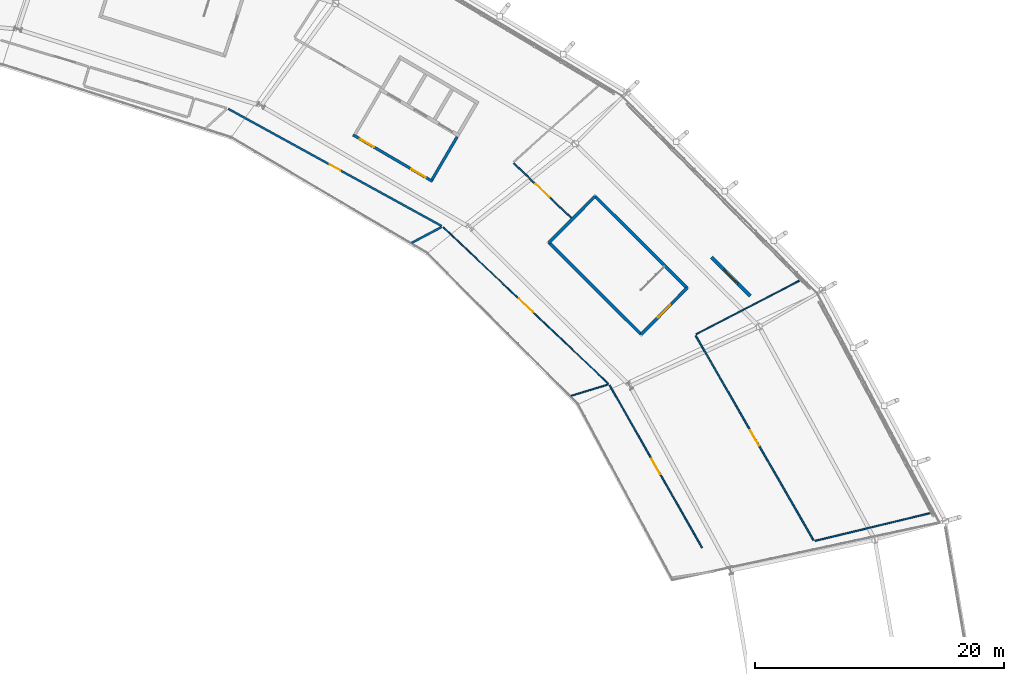
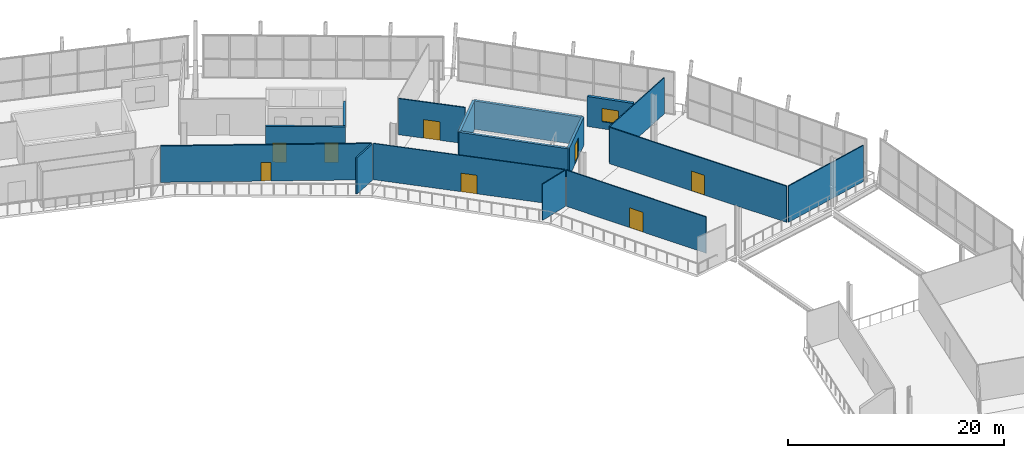
# One storey, part 89 of 99: 16 walls, 8 doors, 1 window, 9 openings.
"""IFC4 building model written with IfcOpenShell, lengths in metres."""

from ifc_helpers import new_model, si_unit, direction, frame, frame_2d, origin, place, context, subcontext, project, spatial, rectangle, extrude, material, layer, layer_set, type_object, element, fill, save


model = new_model("IFC4")

# Units and contexts
model_context = context("Model", 3, precision=1e-05, world=origin(), true_north=direction((0.0, 1.0)))
body_context = subcontext(model_context, "Body", "Model", "MODEL_VIEW")
ifc_project = project(units=[si_unit("LENGTHUNIT", "METRE"), si_unit("AREAUNIT", "SQUARE_METRE"), si_unit("VOLUMEUNIT", "CUBIC_METRE"), si_unit("PLANEANGLEUNIT", "RADIAN"), si_unit("MASSUNIT", "GRAM", prefix="KILO")], contexts=[model_context])

# Site, building, storey
site_placement = place(None, origin())
site = spatial("IfcSite", under=ifc_project, at=site_placement, CompositionType="ELEMENT")
building_placement = place(site_placement, origin())
building = spatial("IfcBuilding", under=site, at=building_placement, Name="Zlatoyarsky Gate Stadium", CompositionType="ELEMENT")
storey_placement = place(building_placement, frame((0.0, 0.0, 26.199951171875)))
storey = spatial("IfcBuildingStorey", under=building, at=storey_placement, Name="L05", CompositionType="ELEMENT", Elevation=26.199951171875)

# Wall
ifc_material_1 = material(Name="Double-stud acoustic gypsum partition", Category="gypsum")
ifc_layer_1 = layer(ifc_material_1, 0.169921875)
ifc_layer_set_1 = layer_set([ifc_layer_1], Name="Double-stud acoustic gypsum partition")
wall_type_1 = type_object("IfcWallType", Name="ACOUSTIC BROADCAST STUDIO WALL 170", PredefinedType="PARTITIONING", material=ifc_layer_set_1)
wall_1_placement = place(storey_placement, frame((163.607666015625, 122.249755859375, 0.0), z_axis=(0.0, 0.0, 1.0), x_axis=(0.884239556417, 0.467033624986, 0.0)))
element("IfcWall", 1, at=wall_1_placement, inside=storey, type_object=wall_type_1, Name="L05 interior partition PRT-L05-IRD-03", PredefinedType="PARTITIONING", context=body_context, shape_type="SweptSolid", body=[
    extrude(rectangle(XDim=2.71923828125, YDim=0.169921875, at=frame_2d((1.359619140625, 0.0))), origin(), (0.0, 0.0, 1.0), 4.10009765625),
])

# Wall, opening, door
ifc_material_2 = material(Name="Anodised aluminium acoustic operable wall", Category="aluminium")
ifc_layer_2 = layer(ifc_material_2, 0.114990234375)
ifc_layer_set_2 = layer_set([ifc_layer_2], Name="Anodised aluminium acoustic operable wall")
wall_type_2 = type_object("IfcWallType", Name="ACOUSTIC OPERABLE SUITE WALL 115", PredefinedType="MOVABLE", material=ifc_layer_set_2)
wall_2_placement = place(storey_placement, frame((176.431640625, 124.262939453125, 0.0), z_axis=(0.0, 0.0, 1.0), x_axis=(-0.727092872765, 0.686539113506, 0.0)))
wall_2 = element("IfcWall", 2, at=wall_2_placement, inside=storey, type_object=wall_type_2, Name="L05 interior partition PRT-L05-OCC-02-1", PredefinedType="MOVABLE", context=body_context, shape_type="SweptSolid", body=[
    extrude(rectangle(XDim=6.369384765625, YDim=0.114990234375, at=frame_2d((3.1845703125, 0.0))), origin(), (0.0, 0.0, 1.0), 4.10009765625),
])
opening_1_placement = place(wall_2_placement, frame((2.40478515625, 0.0, 0.0)))
opening_1 = element("IfcOpeningElement", 3, at=opening_1_placement, cuts=wall_2, Name="Opening D-L05-668", PredefinedType="OPENING", context=body_context, shape_type="SweptSolid", body=[
    extrude(rectangle(XDim=1.56005859375, YDim=2.10009765625, at=frame_2d((0.780029296875, 1.050048828125))), frame((0.0, 0.0673828125, 0.0), z_axis=(0.0, -1.0, 0.0), x_axis=(1.0, 0.0, 0.0)), (0.0, 0.0, 1.0), 0.135009765625),
])
ifc_material_3 = material(Name="Solid-core oak veneer acoustic door", Category="wood")
door_type_1 = type_object("IfcDoorType", Name="ACOUSTIC INTERIOR DOOR 1560X2100", OperationType="NOTDEFINED", PredefinedType="DOOR", material=ifc_material_3)
door_1_placement = place(opening_1_placement, origin())
door_1 = element("IfcDoor", 4, at=door_1_placement, inside=storey, type_object=door_type_1, Name="L05 room door D-L05-668", OperationType="SINGLE_SWING_RIGHT", OverallHeight=2.10009765625, OverallWidth=1.56005859375, PredefinedType="DOOR", context=body_context, shape_type="SweptSolid", body=[
    extrude(rectangle(XDim=1.56005859375, YDim=2.10009765625, at=frame_2d((0.780029296875, 1.050048828125))), frame((0.0, 0.02490234375, 0.0), z_axis=(0.0, -1.0, 0.0), x_axis=(1.0, 0.0, 0.0)), (0.0, 0.0, 1.0), 0.050048828125),
])
fill(opening_1, door_1)

ifc_material_4 = material(Name="Concrete C40/50", Category="concrete")
ifc_layer_3 = layer(ifc_material_4, 0.25)
ifc_layer_set_3 = layer_set([ifc_layer_3], Name="Concrete C40/50")
wall_type_3 = type_object("IfcWallType", Name="CONCRETE STAIR CORE SHEAR WALL 250", PredefinedType="SHEAR", material=ifc_layer_set_3)
wall_3_placement = place(storey_placement, frame((182.038818359375, 114.89794921875, 0.0), z_axis=(0.0, 0.0, 1.0), x_axis=(0.705314141126, 0.708894888067, 0.0)))
wall_3 = element("IfcWall", 5, at=wall_3_placement, inside=storey, type_object=wall_type_3, Name="ST-02 L05 stair core entrance shear wall", PredefinedType="SHEAR", context=body_context, shape_type="SweptSolid", body=[
    extrude(rectangle(XDim=5.25, YDim=0.25, at=frame_2d((2.625, 0.0))), origin(), (0.0, 0.0, 1.0), 3.199951171875),
])
opening_2_placement = place(wall_3_placement, frame((1.925048828125, 0.0, 0.0)))
opening_2 = element("IfcOpeningElement", 6, at=opening_2_placement, cuts=wall_3, Name="Opening SD-ST-02-L05", PredefinedType="OPENING", context=body_context, shape_type="SweptSolid", body=[
    extrude(rectangle(XDim=1.39990234375, YDim=2.199951171875, at=frame_2d((0.699951171875, 1.10009765625))), frame((0.0, 0.135009765625, 0.0), z_axis=(0.0, -1.0, 0.0), x_axis=(1.0, 0.0, 0.0)), (0.0, 0.0, 1.0), 0.27001953125),
])
ifc_material_5 = material(Name="Powder-coated steel fire door", Category="steel")
door_type_2 = type_object("IfcDoorType", Name="STAIR CORE FIRE EXIT DOOR 1400X2200", OperationType="NOTDEFINED", PredefinedType="DOOR", material=ifc_material_5)
door_2_placement = place(opening_2_placement, frame((1.39990234375, 0.0, 0.0), z_axis=(0.0, 0.0, 1.0), x_axis=(-1.0, 0.0, 0.0)))
door_2 = element("IfcDoor", 7, at=door_2_placement, inside=storey, type_object=door_type_2, Name="ST-02 L05 stair fire door", OperationType="SINGLE_SWING_LEFT", OverallHeight=2.199951171875, OverallWidth=1.39990234375, PredefinedType="DOOR", context=body_context, shape_type="SweptSolid", body=[
    extrude(rectangle(XDim=1.39990234375, YDim=2.199951171875, at=frame_2d((0.699951171875, 1.10009765625))), frame((0.0, 0.02490234375, 0.0), z_axis=(0.0, -1.0, 0.0), x_axis=(1.0, 0.0, 0.0)), (0.0, 0.0, 1.0), 0.050048828125),
])
fill(opening_2, door_2)

# Walls
wall_4_placement = place(storey_placement, frame((185.74169921875, 118.61962890625, 0.0), z_axis=(0.0, 0.0, 1.0), x_axis=(-0.708891762409, 0.705317282639, 0.0)))
element("IfcWall", 8, at=wall_4_placement, inside=storey, type_object=wall_type_3, Name="ST-02 L05 stair core left shear wall", PredefinedType="SHEAR", context=body_context, shape_type="SweptSolid", body=[
    extrude(rectangle(XDim=10.449951171875, YDim=0.25, at=frame_2d((5.22509765625, 0.0))), origin(), (0.0, 0.0, 1.0), 3.199951171875),
])
wall_5_placement = place(storey_placement, frame((178.333740234375, 125.990234375, 0.0), z_axis=(0.0, 0.0, 1.0), x_axis=(-0.705314141126, -0.708894888067, 0.0)))
element("IfcWall", 9, at=wall_5_placement, inside=storey, type_object=wall_type_3, Name="ST-02 L05 stair core far shear wall", PredefinedType="SHEAR", context=body_context, shape_type="SweptSolid", body=[
    extrude(rectangle(XDim=5.25, YDim=0.25, at=frame_2d((2.625, 0.0))), origin(), (0.0, 0.0, 1.0), 3.199951171875),
])
wall_6_placement = place(storey_placement, frame((174.630859375, 122.2685546875, 0.0), z_axis=(0.0, 0.0, 1.0), x_axis=(0.708891762409, -0.705317282639, 0.0)))
element("IfcWall", 10, at=wall_6_placement, inside=storey, type_object=wall_type_3, Name="ST-02 L05 stair core right shear wall", PredefinedType="SHEAR", context=body_context, shape_type="SweptSolid", body=[
    extrude(rectangle(XDim=10.449951171875, YDim=0.25, at=frame_2d((5.22509765625, 0.0))), origin(), (0.0, 0.0, 1.0), 3.199951171875),
])
ifc_material_6 = material(Name="Autoclaved aerated concrete masonry EI 120", Category="masonry")
ifc_layer_4 = layer(ifc_material_6, 0.219970703125)
ifc_layer_set_4 = layer_set([ifc_layer_4], Name="Autoclaved aerated concrete masonry EI 120")
wall_type_4 = type_object("IfcWallType", Name="FIREFIGHTING LOBBY RATED WALL 220", PredefinedType="PARTITIONING", material=ifc_layer_set_4)
wall_7_placement = place(storey_placement, frame((167.2578125, 130.766357421875, 0.0), z_axis=(0.0, 0.0, 1.0), x_axis=(-0.505464443681, -0.862847435051, 0.0)))
element("IfcWall", 11, at=wall_7_placement, inside=storey, type_object=wall_type_4, Name="C1 L05 firefighting lobby left wall", PredefinedType="PARTITIONING", context=body_context, shape_type="SweptSolid", body=[
    extrude(rectangle(XDim=3.97998046875, YDim=0.219970703125, at=frame_2d((1.989990234375, 0.0))), origin(), (0.0, 0.0, 1.0), 4.10009765625),
])

# Wall, openings, doors
wall_8_placement = place(storey_placement, frame((165.285400390625, 127.181640625, 0.0), z_axis=(0.0, 0.0, 1.0), x_axis=(-0.862851295616, 0.505457853488, 0.0)))
wall_8 = element("IfcWall", 12, at=wall_8_placement, inside=storey, type_object=wall_type_4, Name="C1 L05 firefighting lobby front wall", PredefinedType="PARTITIONING", context=body_context, shape_type="SweptSolid", body=[
    extrude(rectangle(XDim=7.400146484375, YDim=0.219970703125, at=frame_2d((3.7001953125, 0.0))), origin(), (0.0, 0.0, 1.0), 4.10009765625),
])
opening_3_placement = place(wall_8_placement, frame((0.64990234375, 0.0, 0.0)))
opening_3 = element("IfcOpeningElement", 13, at=opening_3_placement, cuts=wall_8, Name="Opening FD-C1-L05-A", PredefinedType="OPENING", context=body_context, shape_type="SweptSolid", body=[
    extrude(rectangle(XDim=1.300048828125, YDim=2.199951171875, at=frame_2d((0.64990234375, 1.10009765625))), frame((0.0, 0.119873046875, 0.0), z_axis=(0.0, -1.0, 0.0), x_axis=(1.0, 0.0, 0.0)), (0.0, 0.0, 1.0), 0.239990234375),
])
opening_4_placement = place(wall_8_placement, frame((5.449951171875, 0.0, 0.0)))
opening_4 = element("IfcOpeningElement", 14, at=opening_4_placement, cuts=wall_8, Name="Opening FD-C1-L05-B", PredefinedType="OPENING", context=body_context, shape_type="SweptSolid", body=[
    extrude(rectangle(XDim=1.300048828125, YDim=2.199951171875, at=frame_2d((0.64990234375, 1.10009765625))), frame((0.0, 0.119873046875, 0.0), z_axis=(0.0, -1.0, 0.0), x_axis=(1.0, 0.0, 0.0)), (0.0, 0.0, 1.0), 0.239990234375),
])
door_type_3 = type_object("IfcDoorType", Name="FIREFIGHTING LOBBY FIRE DOOR 1300X2200", OperationType="NOTDEFINED", PredefinedType="DOOR", material=ifc_material_5)
door_3_placement = place(opening_3_placement, origin())
door_3 = element("IfcDoor", 15, at=door_3_placement, inside=storey, type_object=door_type_3, Name="C1 L05 firefighting lobby fire door FD-C1-L05-A", OperationType="SINGLE_SWING_LEFT", OverallHeight=2.199951171875, OverallWidth=1.300048828125, PredefinedType="DOOR", context=body_context, shape_type="SweptSolid", body=[
    extrude(rectangle(XDim=1.300048828125, YDim=2.199951171875, at=frame_2d((0.64990234375, 1.10009765625))), frame((0.0, 0.02490234375, 0.0), z_axis=(0.0, -1.0, 0.0), x_axis=(1.0, 0.0, 0.0)), (0.0, 0.0, 1.0), 0.050048828125),
])
fill(opening_3, door_3)
door_4_placement = place(opening_4_placement, origin())
door_4 = element("IfcDoor", 16, at=door_4_placement, inside=storey, type_object=door_type_3, Name="C1 L05 firefighting lobby fire door FD-C1-L05-B", OperationType="SINGLE_SWING_RIGHT", OverallHeight=2.199951171875, OverallWidth=1.300048828125, PredefinedType="DOOR", context=body_context, shape_type="SweptSolid", body=[
    extrude(rectangle(XDim=1.300048828125, YDim=2.199951171875, at=frame_2d((0.64990234375, 1.10009765625))), frame((0.0, 0.02490234375, 0.0), z_axis=(0.0, -1.0, 0.0), x_axis=(1.0, 0.0, 0.0)), (0.0, 0.0, 1.0), 0.050048828125),
])
fill(opening_4, door_4)

# Wall, opening, door
ifc_material_7 = material(Name="Timber-veneered acoustic operable partition", Category="wood")
ifc_layer_5 = layer(ifc_material_7, 0.094970703125)
ifc_layer_set_5 = layer_set([ifc_layer_5], Name="Timber-veneered acoustic operable partition")
wall_type_5 = type_object("IfcWallType", Name="FOLDING BANQUET SALON WALL 95", PredefinedType="MOVABLE", material=ifc_layer_set_5)
wall_9_placement = place(storey_placement, frame((179.406982421875, 110.941162109375, 0.0), z_axis=(0.0, 0.0, 1.0), x_axis=(-0.725964978713, 0.687731669826, 0.0)))
wall_9 = element("IfcWall", 17, at=wall_9_placement, inside=storey, type_object=wall_type_5, Name="L05 interior partition PRT-L05-ICC-02", PredefinedType="MOVABLE", context=body_context, shape_type="SweptSolid", body=[
    extrude(rectangle(XDim=18.2626953125, YDim=0.094970703125, at=frame_2d((9.13134765625, 0.0))), origin(), (0.0, 0.0, 1.0), 4.10009765625),
])
opening_5_placement = place(wall_9_placement, frame((8.351318359375, 0.0, 0.0)))
opening_5 = element("IfcOpeningElement", 18, at=opening_5_placement, cuts=wall_9, Name="Opening D-L05-609", PredefinedType="OPENING", context=body_context, shape_type="SweptSolid", body=[
    extrude(rectangle(XDim=1.56005859375, YDim=2.10009765625, at=frame_2d((0.780029296875, 1.050048828125))), frame((0.0, 0.057373046875, 0.0), z_axis=(0.0, -1.0, 0.0), x_axis=(1.0, 0.0, 0.0)), (0.0, 0.0, 1.0), 0.114990234375),
])
door_5_placement = place(opening_5_placement, origin())
door_5 = element("IfcDoor", 19, at=door_5_placement, inside=storey, type_object=door_type_1, Name="L05 room door D-L05-609", OperationType="SINGLE_SWING_LEFT", OverallHeight=2.10009765625, OverallWidth=1.56005859375, PredefinedType="DOOR", context=body_context, shape_type="SweptSolid", body=[
    extrude(rectangle(XDim=1.56005859375, YDim=2.10009765625, at=frame_2d((0.780029296875, 1.050048828125))), frame((0.0, 0.02490234375, 0.0), z_axis=(0.0, -1.0, 0.0), x_axis=(1.0, 0.0, 0.0)), (0.0, 0.0, 1.0), 0.050048828125),
])
fill(opening_5, door_5)

ifc_material_8 = material(Name="Acoustic metal-stud gypsum partition", Category="gypsum")
ifc_layer_6 = layer(ifc_material_8, 0.159912109375)
ifc_layer_set_6 = layer_set([ifc_layer_6], Name="Acoustic metal-stud gypsum partition")
wall_type_6 = type_object("IfcWallType", Name="HOSPITALITY SUITE PARTITION 160", PredefinedType="PARTITIONING", material=ifc_layer_set_6)
wall_10_placement = place(storey_placement, frame((166.0126953125, 123.600341796875, 0.0), z_axis=(0.0, 0.0, 1.0), x_axis=(-0.87649890357, 0.481403855448, 0.0)))
wall_10 = element("IfcWall", 20, at=wall_10_placement, inside=storey, type_object=wall_type_6, Name="L05 interior partition PRT-L05-ICC-03", PredefinedType="PARTITIONING", context=body_context, shape_type="SweptSolid", body=[
    extrude(rectangle(XDim=19.552001953125, YDim=0.159912109375, at=frame_2d((9.77587890625, 0.0))), origin(), (0.0, 0.0, 1.0), 4.10009765625),
])
opening_6_placement = place(wall_10_placement, frame((9.2958984375, 0.0, 0.0)))
opening_6 = element("IfcOpeningElement", 21, at=opening_6_placement, cuts=wall_10, Name="Opening D-L05-611", PredefinedType="OPENING", context=body_context, shape_type="SweptSolid", body=[
    extrude(rectangle(XDim=0.9599609375, YDim=2.10009765625, at=frame_2d((0.47998046875, 1.050048828125))), frame((0.0, 0.08984375, 0.0), z_axis=(0.0, -1.0, 0.0), x_axis=(1.0, 0.0, 0.0)), (0.0, 0.0, 1.0), 0.179931640625),
])
door_type_4 = type_object("IfcDoorType", Name="ACOUSTIC INTERIOR DOOR 960X2100", OperationType="NOTDEFINED", PredefinedType="DOOR", material=ifc_material_5)
door_6_placement = place(opening_6_placement, origin())
door_6 = element("IfcDoor", 22, at=door_6_placement, inside=storey, type_object=door_type_4, Name="L05 room door D-L05-611", OperationType="SINGLE_SWING_RIGHT", OverallHeight=2.10009765625, OverallWidth=0.9599609375, PredefinedType="DOOR", context=body_context, shape_type="SweptSolid", body=[
    extrude(rectangle(XDim=0.9599609375, YDim=2.10009765625, at=frame_2d((0.47998046875, 1.050048828125))), frame((0.0, 0.02490234375, 0.0), z_axis=(0.0, -1.0, 0.0), x_axis=(1.0, 0.0, 0.0)), (0.0, 0.0, 1.0), 0.050048828125),
])
fill(opening_6, door_6)

# Wall, opening, window
ifc_material_9 = material(Name="Precast concrete C40/50 architectural panel", Category="concrete")
ifc_layer_7 = layer(ifc_material_9, 0.280029296875)
ifc_layer_set_7 = layer_set([ifc_layer_7], Name="Precast concrete C40/50 architectural panel")
wall_type_7 = type_object("IfcWallType", Name="INSULATED WING SPANDREL WALL 280", PredefinedType="STANDARD", material=ifc_layer_set_7)
wall_11_placement = place(storey_placement, frame((190.807861328125, 117.976806640625, 0.0), z_axis=(0.0, 0.0, 1.0), x_axis=(-0.707411897339, 0.70680153332, 0.0)))
wall_11 = element("IfcWall", 23, at=wall_11_placement, inside=storey, type_object=wall_type_7, Name="L05 clerestory lantern wall 01", PredefinedType="STANDARD", context=body_context, shape_type="SweptSolid", body=[
    extrude(rectangle(XDim=4.39990234375, YDim=0.280029296875, at=frame_2d((2.199951171875, 0.0))), origin(), (0.0, 0.0, 1.0), 3.400146484375),
])
opening_7_placement = place(wall_11_placement, frame((1.39990234375, 0.0, 0.800048828125)))
opening_7 = element("IfcOpeningElement", 24, at=opening_7_placement, cuts=wall_11, Name="Opening SK-01", PredefinedType="OPENING", context=body_context, shape_type="SweptSolid", body=[
    extrude(rectangle(XDim=1.60009765625, YDim=1.5, at=frame_2d((0.800048828125, 0.75))), frame((0.0, 0.14990234375, 0.0), z_axis=(0.0, -1.0, 0.0), x_axis=(1.0, 0.0, 0.0)), (0.0, 0.0, 1.0), 0.300048828125),
])
ifc_material_10 = material(Name="Triple-glazed thermally broken aluminium skylight", Category="aluminium")
window_type = type_object("IfcWindowType", Name="INSULATED ROOF SMOKE VENT SKYLIGHT 1600X1500", PartitioningType="SINGLE_PANEL", PredefinedType="SKYLIGHT", material=ifc_material_10)
window_placement = place(opening_7_placement, origin())
window = element("IfcWindow", 25, at=window_placement, inside=storey, type_object=window_type, Name="Clerestory smoke vent skylight SKY-01", OverallHeight=1.5, OverallWidth=1.60009765625, PartitioningType="SINGLE_PANEL", PredefinedType="SKYLIGHT", context=body_context, shape_type="SweptSolid", body=[
    extrude(rectangle(XDim=1.60009765625, YDim=1.5, at=frame_2d((0.800048828125, 0.75))), frame((0.0, 0.030029296875, 0.0), z_axis=(0.0, -1.0, 0.0), x_axis=(1.0, 0.0, 0.0)), (0.0, 0.0, 1.0), 0.06005859375),
])
fill(opening_7, window)

# Wall, opening, door
ifc_material_11 = material(Name="Metal-stud gypsum partition", Category="gypsum")
ifc_layer_8 = layer(ifc_material_11, 0.110107421875)
ifc_layer_set_8 = layer_set([ifc_layer_8], Name="Metal-stud gypsum partition")
wall_type_8 = type_object("IfcWallType", Name="KIOSK SERVICE PARTITION 110", PredefinedType="PARTITIONING", material=ifc_layer_set_8)
wall_12_placement = place(storey_placement, frame((186.93603515625, 97.7509765625, 0.0), z_axis=(0.0, 0.0, 1.0), x_axis=(-0.494333289867, 0.869272453567, 0.0)))
wall_12 = element("IfcWall", 26, at=wall_12_placement, inside=storey, type_object=wall_type_8, Name="L05 interior partition PRT-L05-ICC-01", PredefinedType="PARTITIONING", context=body_context, shape_type="SweptSolid", body=[
    extrude(rectangle(XDim=15.021240234375, YDim=0.110107421875, at=frame_2d((7.5107421875, 0.0))), origin(), (0.0, 0.0, 1.0), 4.10009765625),
])
opening_8_placement = place(wall_12_placement, frame((6.790771484375, 0.0, 0.0)))
opening_8 = element("IfcOpeningElement", 27, at=opening_8_placement, cuts=wall_12, Name="Opening D-L05-606", PredefinedType="OPENING", context=body_context, shape_type="SweptSolid", body=[
    extrude(rectangle(XDim=1.43994140625, YDim=2.239990234375, at=frame_2d((0.719970703125, 1.1201171875))), frame((0.0, 0.06494140625, 0.0), z_axis=(0.0, -1.0, 0.0), x_axis=(1.0, 0.0, 0.0)), (0.0, 0.0, 1.0), 0.130126953125),
])
door_type_5 = type_object("IfcDoorType", Name="ACOUSTIC INTERIOR DOOR 1440X2240", OperationType="NOTDEFINED", PredefinedType="DOOR", material=ifc_material_3)
door_7_placement = place(opening_8_placement, origin())
door_7 = element("IfcDoor", 28, at=door_7_placement, inside=storey, type_object=door_type_5, Name="L05 room door D-L05-606", OperationType="SINGLE_SWING_RIGHT", OverallHeight=2.239990234375, OverallWidth=1.43994140625, PredefinedType="DOOR", context=body_context, shape_type="SweptSolid", body=[
    extrude(rectangle(XDim=1.43994140625, YDim=2.239990234375, at=frame_2d((0.719970703125, 1.1201171875))), frame((0.0, 0.02490234375, 0.0), z_axis=(0.0, -1.0, 0.0), x_axis=(1.0, 0.0, 0.0)), (0.0, 0.0, 1.0), 0.050048828125),
])
fill(opening_8, door_7)

# Walls
wall_13_placement = place(storey_placement, frame((196.016845703125, 98.299072265625, 0.0), z_axis=(0.0, 0.0, 1.0), x_axis=(0.972226976195, 0.234039968293, 0.0)))
element("IfcWall", 29, at=wall_13_placement, inside=storey, type_object=wall_type_8, Name="L05 interior partition PRT-L05-ORD-01L", PredefinedType="PARTITIONING", context=body_context, shape_type="SweptSolid", body=[
    extrude(rectangle(XDim=9.55126953125, YDim=0.110107421875, at=frame_2d((4.775634765625, 0.0))), origin(), (0.0, 0.0, 1.0), 4.10009765625),
])
ifc_layer_9 = layer(ifc_material_11, 0.10009765625)
ifc_layer_set_9 = layer_set([ifc_layer_9], Name="Metal-stud gypsum partition")
wall_type_9 = type_object("IfcWallType", Name="LIGHT STORAGE PARTITION 100", PredefinedType="PARTITIONING", material=ifc_layer_set_9)
wall_14_placement = place(storey_placement, frame((176.41943359375, 109.951904296875, 0.0), z_axis=(0.0, 0.0, 1.0), x_axis=(0.956424834263, 0.291978657449, 0.0)))
element("IfcWall", 30, at=wall_14_placement, inside=storey, type_object=wall_type_9, Name="L05 interior partition PRT-L05-IRD-02", PredefinedType="PARTITIONING", context=body_context, shape_type="SweptSolid", body=[
    extrude(rectangle(XDim=3.10302734375, YDim=0.10009765625, at=frame_2d((1.551513671875, 0.0))), origin(), (0.0, 0.0, 1.0), 4.10009765625),
])
wall_15_placement = place(storey_placement, frame((186.461669921875, 114.902099609375, 0.0), z_axis=(0.0, 0.0, 1.0), x_axis=(0.887617822443, 0.460580721787, 0.0)))
element("IfcWall", 31, at=wall_15_placement, inside=storey, type_object=wall_type_9, Name="L05 interior partition PRT-L05-ORD-01R", PredefinedType="PARTITIONING", context=body_context, shape_type="SweptSolid", body=[
    extrude(rectangle(XDim=9.3818359375, YDim=0.10009765625, at=frame_2d((4.69091796875, 0.0))), origin(), (0.0, 0.0, 1.0), 4.10009765625),
])

# Wall, opening, door
ifc_layer_10 = layer(ifc_material_11, 0.1201171875)
ifc_layer_set_10 = layer_set([ifc_layer_10], Name="Metal-stud gypsum partition")
wall_type_10 = type_object("IfcWallType", Name="OFFICE AND PRESS PARTITION 120", PredefinedType="PARTITIONING", material=ifc_layer_set_10)
wall_16_placement = place(storey_placement, frame((195.891845703125, 98.352783203125, 0.0), z_axis=(0.0, 0.0, 1.0), x_axis=(-0.498951847497, 0.866629709783, 0.0)))
wall_16 = element("IfcWall", 32, at=wall_16_placement, inside=storey, type_object=wall_type_10, Name="L05 interior partition PRT-L05-OCC-01-1", PredefinedType="PARTITIONING", context=body_context, shape_type="SweptSolid", body=[
    extrude(rectangle(XDim=18.966064453125, YDim=0.1201171875, at=frame_2d((9.48291015625, 0.0))), origin(), (0.0, 0.0, 1.0), 4.10009765625),
])
opening_9_placement = place(wall_16_placement, frame((8.762939453125, 0.0, 0.0)))
opening_9 = element("IfcOpeningElement", 33, at=opening_9_placement, cuts=wall_16, Name="Opening D-L05-665", PredefinedType="OPENING", context=body_context, shape_type="SweptSolid", body=[
    extrude(rectangle(XDim=1.43994140625, YDim=2.239990234375, at=frame_2d((0.719970703125, 1.1201171875))), frame((0.0, 0.070068359375, 0.0), z_axis=(0.0, -1.0, 0.0), x_axis=(1.0, 0.0, 0.0)), (0.0, 0.0, 1.0), 0.14013671875),
])
door_8_placement = place(opening_9_placement, origin())
door_8 = element("IfcDoor", 34, at=door_8_placement, inside=storey, type_object=door_type_5, Name="L05 room door D-L05-665", OperationType="SINGLE_SWING_LEFT", OverallHeight=2.239990234375, OverallWidth=1.43994140625, PredefinedType="DOOR", context=body_context, shape_type="SweptSolid", body=[
    extrude(rectangle(XDim=1.43994140625, YDim=2.239990234375, at=frame_2d((0.719970703125, 1.1201171875))), frame((0.0, 0.02490234375, 0.0), z_axis=(0.0, -1.0, 0.0), x_axis=(1.0, 0.0, 0.0)), (0.0, 0.0, 1.0), 0.050048828125),
])
fill(opening_9, door_8)

save(model, "model.ifc")
